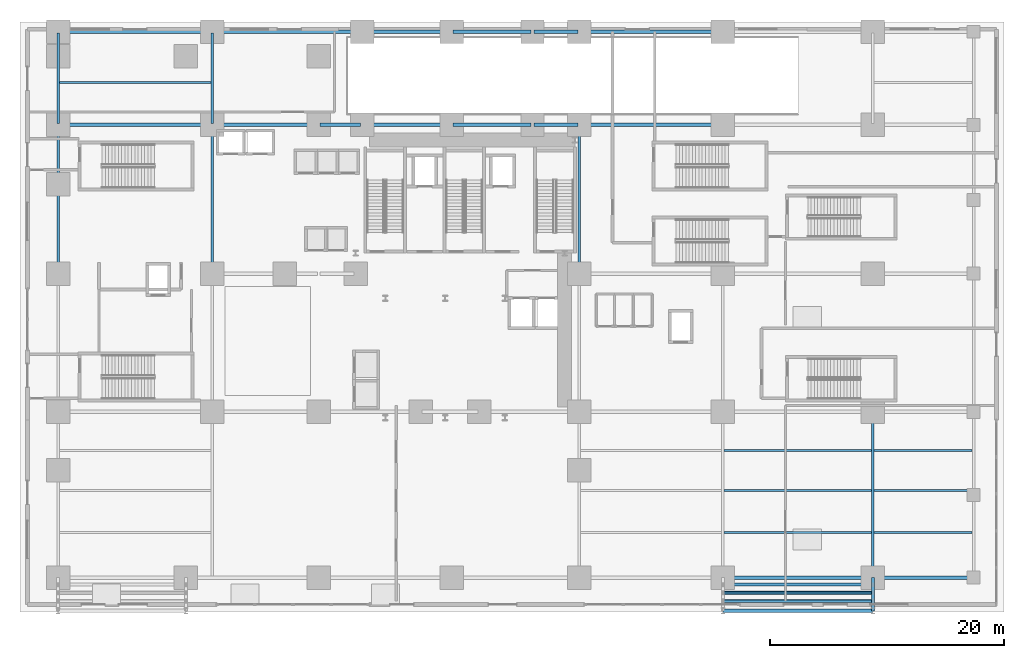
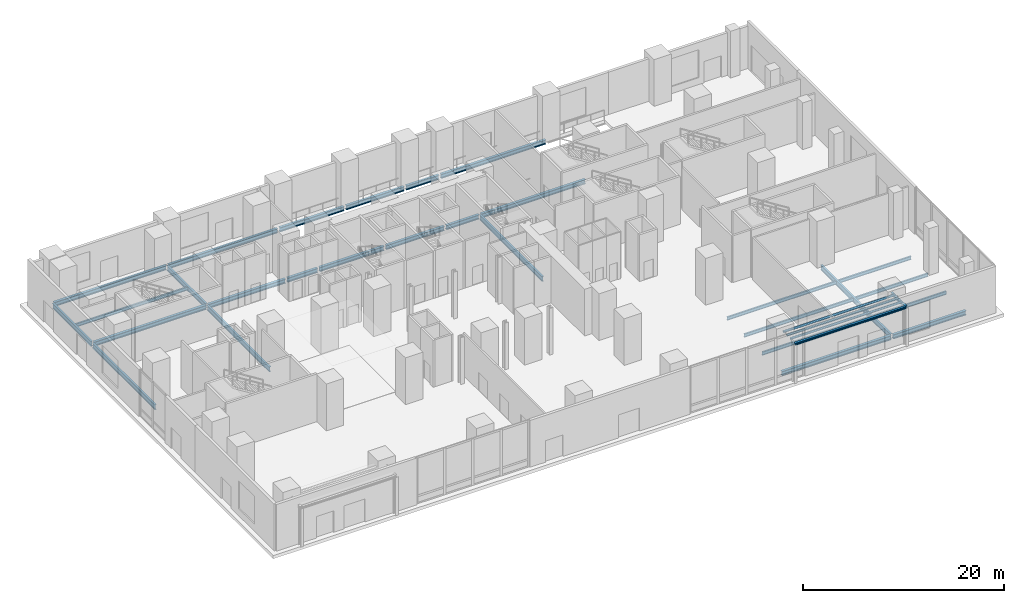
# One storey, part 7 of 25: 30 beams, 3 members.
"""IFC4 building model written with IfcOpenShell, lengths in metres."""

from ifc_helpers import new_model, si_unit, direction, frame, origin, origin_2d, place, context, subcontext, project, spatial, hollow_circle, i_section, extrude, source, transform, mapped, material, material_profile, profile_set, type_object, element, save


model = new_model("IFC4")

# Units and contexts
model_context = context("Model", 3, precision=1e-05, world=origin(), true_north=direction((0.0, 1.0)))
body_context = subcontext(model_context, "Body", "Model", "MODEL_VIEW")
ifc_project = project(units=[si_unit("LENGTHUNIT", "METRE"), si_unit("AREAUNIT", "SQUARE_METRE"), si_unit("VOLUMEUNIT", "CUBIC_METRE"), si_unit("PLANEANGLEUNIT", "RADIAN"), si_unit("MASSUNIT", "GRAM", prefix="KILO")], contexts=[model_context])

# Site, building, storey
site_placement = place(None, origin())
site = spatial("IfcSite", under=ifc_project, at=site_placement, CompositionType="ELEMENT")
building_placement = place(site_placement, origin())
building = spatial("IfcBuilding", under=site, at=building_placement, Name="Vardaveli Station Tower", CompositionType="ELEMENT")
storey_placement = place(building_placement, origin())
storey = spatial("IfcBuildingStorey", under=building, at=storey_placement, Name="L01", CompositionType="ELEMENT", Elevation=0.0)

# Beams
ifc_material = material(Name="Structural steel S355J2", Category="steel")
ifc_material_profile_1 = material_profile(ifc_material, i_section(OverallWidth=0.305908203125, OverallDepth=0.52392578125, WebThickness=0.02099609375, FlangeThickness=0.0400390625, FilletRadius=0.027099609375, at=origin_2d()), Name="HEM 500")
ifc_profile_set_1 = profile_set([ifc_material_profile_1], Name="Structural steel S355J2")
beam_type_1 = type_object("IfcBeamType", Name="BM-HEM500", PredefinedType="BEAM", material=ifc_profile_set_1)
shared_shape_1 = source(origin(), body_context, "Body", "SweptSolid", [
    extrude(i_section(OverallWidth=0.305908203125, OverallDepth=0.52392578125, WebThickness=0.02099609375, FlangeThickness=0.0400390625, FilletRadius=0.027099609375, at=origin_2d()), origin(), (0.0, 0.0, 1.0), 12.009765625),
])
for number, where, z_axis, x_axis, name in (
    (1, (47.8701171875, 41.60009765625, -0.662109375), (1.0, 0.0, 0.0), (0.0, 1.0, 0.0), "PBM-L01-EW3-6"),
    (2, (47.8701171875, 49.550048828125, -0.662109375), (1.0, 0.0, 0.0), (0.0, 1.0, 0.0), "PBM-L01-EW4-5"),
):
    element("IfcBeam", number, at=place(storey_placement, frame(where, z_axis=z_axis, x_axis=x_axis)), inside=storey, type_object=beam_type_1, Name=name, PredefinedType="BEAM", context=body_context, shape_type="MappedRepresentation", body=[
        mapped(shared_shape_1, transform((0.0, 0.0, 0.0), scale=1.0)),
    ])
shared_shape_2 = source(origin(), body_context, "Body", "SweptSolid", [
    extrude(i_section(OverallWidth=0.305908203125, OverallDepth=0.52392578125, WebThickness=0.02099609375, FlangeThickness=0.0400390625, FilletRadius=0.027099609375, at=origin_2d()), origin(), (0.0, 0.0, 1.0), 12.559814453125),
])
beam_1_placement = place(storey_placement, frame((60.1201171875, 2.949951171875, -0.662109375), z_axis=(1.0, 0.0, 0.0), x_axis=(0.0, 1.0, 0.0)))
element("IfcBeam", 3, at=beam_1_placement, inside=storey, type_object=beam_type_1, Name="PBM-L01-EW0-5", PredefinedType="BEAM", context=body_context, shape_type="MappedRepresentation", body=[
    mapped(shared_shape_2, transform((0.0, 0.0, 0.0), scale=1.0)),
])
shared_shape_3 = source(origin(), body_context, "Body", "SweptSolid", [
    extrude(i_section(OverallWidth=0.305908203125, OverallDepth=0.52392578125, WebThickness=0.02099609375, FlangeThickness=0.0400390625, FilletRadius=0.027099609375, at=origin_2d()), origin(), (0.0, 0.0, 1.0), 12.909912109375),
])
for number, where, z_axis, x_axis, name in (
    (4, (3.3701171875, 41.60009765625, -0.662109375), (1.0, 0.0, 0.0), (0.0, 1.0, 0.0), "PBM-L01-EW3-0"),
    (5, (3.3701171875, 49.550048828125, -0.662109375), (1.0, 0.0, 0.0), (0.0, 1.0, 0.0), "PBM-L01-EW4-0"),
):
    element("IfcBeam", number, at=place(storey_placement, frame(where, z_axis=z_axis, x_axis=x_axis)), inside=storey, type_object=beam_type_1, Name=name, PredefinedType="BEAM", context=body_context, shape_type="MappedRepresentation", body=[
        mapped(shared_shape_3, transform((0.0, 0.0, 0.0), scale=1.0)),
    ])
shared_shape_4 = source(origin(), body_context, "Body", "SweptSolid", [
    extrude(i_section(OverallWidth=0.305908203125, OverallDepth=0.52392578125, WebThickness=0.02099609375, FlangeThickness=0.0400390625, FilletRadius=0.027099609375, at=origin_2d()), origin(), (0.0, 0.0, 1.0), 8.85986328125),
])
beam_2_placement = place(storey_placement, frame((16.52001953125, 41.60009765625, -0.662109375), z_axis=(1.0, 0.0, 0.0), x_axis=(0.0, 1.0, 0.0)))
element("IfcBeam", 6, at=beam_2_placement, inside=storey, type_object=beam_type_1, Name="PBM-L01-EW3-1", PredefinedType="BEAM", context=body_context, shape_type="MappedRepresentation", body=[
    mapped(shared_shape_4, transform((0.0, 0.0, 0.0), scale=1.0)),
])
shared_shape_5 = source(origin(), body_context, "Body", "SweptSolid", [
    extrude(i_section(OverallWidth=0.305908203125, OverallDepth=0.52392578125, WebThickness=0.02099609375, FlangeThickness=0.0400390625, FilletRadius=0.027099609375, at=origin_2d()), origin(), (0.0, 0.0, 1.0), 3.4599609375),
])
beam_3_placement = place(storey_placement, frame((25.6201171875, 41.60009765625, -0.662109375), z_axis=(1.0, 0.0, 0.0), x_axis=(0.0, 1.0, 0.0)))
element("IfcBeam", 7, at=beam_3_placement, inside=storey, type_object=beam_type_1, Name="PBM-L01-EW3-2", PredefinedType="BEAM", context=body_context, shape_type="MappedRepresentation", body=[
    mapped(shared_shape_5, transform((0.0, 0.0, 0.0), scale=1.0)),
])
shared_shape_6 = source(origin(), body_context, "Body", "SweptSolid", [
    extrude(i_section(OverallWidth=0.305908203125, OverallDepth=0.52392578125, WebThickness=0.02099609375, FlangeThickness=0.0400390625, FilletRadius=0.027099609375, at=origin_2d()), origin(), (0.0, 0.0, 1.0), 7.39990234375),
])
for number, where, z_axis, x_axis, name in (
    (8, (29.320068359375, 41.60009765625, -0.662109375), (1.0, 0.0, 0.0), (0.0, 1.0, 0.0), "PBM-L01-EW3-3"),
    (9, (29.320068359375, 49.550048828125, -0.662109375), (1.0, 0.0, 0.0), (0.0, 1.0, 0.0), "PBM-L01-EW4-2"),
):
    element("IfcBeam", number, at=place(storey_placement, frame(where, z_axis=z_axis, x_axis=x_axis)), inside=storey, type_object=beam_type_1, Name=name, PredefinedType="BEAM", context=body_context, shape_type="MappedRepresentation", body=[
        mapped(shared_shape_6, transform((0.0, 0.0, 0.0), scale=1.0)),
    ])
shared_shape_7 = source(origin(), body_context, "Body", "SweptSolid", [
    extrude(i_section(OverallWidth=0.305908203125, OverallDepth=0.52392578125, WebThickness=0.02099609375, FlangeThickness=0.0400390625, FilletRadius=0.027099609375, at=origin_2d()), origin(), (0.0, 0.0, 1.0), 6.669921875),
])
for number, where, z_axis, x_axis, name in (
    (10, (36.9599609375, 41.60009765625, -0.662109375), (1.0, 0.0, 0.0), (0.0, 1.0, 0.0), "PBM-L01-EW3-4"),
    (11, (36.9599609375, 49.550048828125, -0.662109375), (1.0, 0.0, 0.0), (0.0, 1.0, 0.0), "PBM-L01-EW4-3"),
):
    element("IfcBeam", number, at=place(storey_placement, frame(where, z_axis=z_axis, x_axis=x_axis)), inside=storey, type_object=beam_type_1, Name=name, PredefinedType="BEAM", context=body_context, shape_type="MappedRepresentation", body=[
        mapped(shared_shape_7, transform((0.0, 0.0, 0.0), scale=1.0)),
    ])
shared_shape_8 = source(origin(), body_context, "Body", "SweptSolid", [
    extrude(i_section(OverallWidth=0.305908203125, OverallDepth=0.52392578125, WebThickness=0.02099609375, FlangeThickness=0.0400390625, FilletRadius=0.027099609375, at=origin_2d()), origin(), (0.0, 0.0, 1.0), 3.759765625),
])
for number, where, z_axis, x_axis, name in (
    (12, (43.8701171875, 41.60009765625, -0.662109375), (1.0, 0.0, 0.0), (0.0, 1.0, 0.0), "PBM-L01-EW3-5"),
    (13, (43.8701171875, 49.550048828125, -0.662109375), (1.0, 0.0, 0.0), (0.0, 1.0, 0.0), "PBM-L01-EW4-4"),
):
    element("IfcBeam", number, at=place(storey_placement, frame(where, z_axis=z_axis, x_axis=x_axis)), inside=storey, type_object=beam_type_1, Name=name, PredefinedType="BEAM", context=body_context, shape_type="MappedRepresentation", body=[
        mapped(shared_shape_8, transform((0.0, 0.0, 0.0), scale=1.0)),
    ])
shared_shape_9 = source(origin(), body_context, "Body", "SweptSolid", [
    extrude(i_section(OverallWidth=0.305908203125, OverallDepth=0.52392578125, WebThickness=0.02099609375, FlangeThickness=0.0400390625, FilletRadius=0.027099609375, at=origin_2d()), origin(), (0.0, 0.0, 1.0), 12.56005859375),
])
beam_4_placement = place(storey_placement, frame((16.52001953125, 49.550048828125, -0.662109375), z_axis=(1.0, 0.0, 0.0), x_axis=(0.0, 1.0, 0.0)))
element("IfcBeam", 14, at=beam_4_placement, inside=storey, type_object=beam_type_1, Name="PBM-L01-EW4-1", PredefinedType="BEAM", context=body_context, shape_type="MappedRepresentation", body=[
    mapped(shared_shape_9, transform((0.0, 0.0, 0.0), scale=1.0)),
])
ifc_material_profile_2 = material_profile(ifc_material, i_section(OverallWidth=0.219970703125, OverallDepth=0.60009765625, WebThickness=0.011962890625, FlangeThickness=0.01904296875, FilletRadius=0.02392578125, at=origin_2d()), Name="IPE 600")
ifc_profile_set_2 = profile_set([ifc_material_profile_2], Name="Structural steel S355J2")
beam_type_2 = type_object("IfcBeamType", Name="BM-IPE600", PredefinedType="BEAM", material=ifc_profile_set_2)
shared_shape_10 = source(origin(), body_context, "Body", "SweptSolid", [
    extrude(i_section(OverallWidth=0.219970703125, OverallDepth=0.60009765625, WebThickness=0.011962890625, FlangeThickness=0.01904296875, FilletRadius=0.02392578125, at=origin_2d()), origin(), (0.0, 0.0, 1.0), 13.909912109375),
])
beam_5_placement = place(storey_placement, frame((72.800048828125, 3.070068359375, -0.699951171875), z_axis=(0.0, 1.0, 0.0), x_axis=(-1.0, 0.0, 0.0)))
element("IfcBeam", 15, at=beam_5_placement, inside=storey, type_object=beam_type_2, Name="PBM-L01-NS4-0", PredefinedType="BEAM", context=body_context, shape_type="MappedRepresentation", body=[
    mapped(shared_shape_10, transform((0.0, 0.0, 0.0), scale=1.0)),
])
shared_shape_11 = source(origin(), body_context, "Body", "SweptSolid", [
    extrude(i_section(OverallWidth=0.219970703125, OverallDepth=0.60009765625, WebThickness=0.011962890625, FlangeThickness=0.01904296875, FilletRadius=0.02392578125, at=origin_2d()), origin(), (0.0, 0.0, 1.0), 12.4599609375),
])
for number, where, z_axis, x_axis, name in (
    (16, (3.25, 29.02001953125, -0.699951171875), (0.0, 1.0, 0.0), (-1.0, 0.0, 0.0), "PBM-L01-NS0-2"),
    (17, (16.39990234375, 29.02001953125, -0.699951171875), (0.0, 1.0, 0.0), (-1.0, 0.0, 0.0), "PBM-L01-NS1-2"),
    (18, (47.75, 29.02001953125, -0.699951171875), (0.0, 1.0, 0.0), (-1.0, 0.0, 0.0), "PBM-L01-NS2-2"),
):
    element("IfcBeam", number, at=place(storey_placement, frame(where, z_axis=z_axis, x_axis=x_axis)), inside=storey, type_object=beam_type_2, Name=name, PredefinedType="BEAM", context=body_context, shape_type="MappedRepresentation", body=[
        mapped(shared_shape_11, transform((0.0, 0.0, 0.0), scale=1.0)),
    ])
shared_shape_12 = source(origin(), body_context, "Body", "SweptSolid", [
    extrude(i_section(OverallWidth=0.219970703125, OverallDepth=0.60009765625, WebThickness=0.011962890625, FlangeThickness=0.01904296875, FilletRadius=0.02392578125, at=origin_2d()), origin(), (0.0, 0.0, 1.0), 7.7099609375),
])
for number, where, z_axis, x_axis, name in (
    (19, (3.25, 41.719970703125, -0.699951171875), (0.0, 1.0, 0.0), (-1.0, 0.0, 0.0), "PBM-L01-NS0-3"),
    (20, (16.39990234375, 41.719970703125, -0.699951171875), (0.0, 1.0, 0.0), (-1.0, 0.0, 0.0), "PBM-L01-NS1-3"),
):
    element("IfcBeam", number, at=place(storey_placement, frame(where, z_axis=z_axis, x_axis=x_axis)), inside=storey, type_object=beam_type_2, Name=name, PredefinedType="BEAM", context=body_context, shape_type="MappedRepresentation", body=[
        mapped(shared_shape_12, transform((0.0, 0.0, 0.0), scale=1.0)),
    ])
ifc_material_profile_3 = material_profile(ifc_material, i_section(OverallWidth=0.179931640625, OverallDepth=0.39990234375, WebThickness=0.008544921875, FlangeThickness=0.013427734375, FilletRadius=0.02099609375, at=origin_2d()), Name="IPE 400")
ifc_profile_set_3 = profile_set([ifc_material_profile_3], Name="Structural steel S355J2")
beam_type_3 = type_object("IfcBeamType", Name="BM-IPE400", PredefinedType="JOIST", material=ifc_profile_set_3)
shared_shape_13 = source(origin(), body_context, "Body", "SweptSolid", [
    extrude(i_section(OverallWidth=0.179931640625, OverallDepth=0.39990234375, WebThickness=0.008544921875, FlangeThickness=0.013427734375, FilletRadius=0.02099609375, at=origin_2d()), origin(), (0.0, 0.0, 1.0), 12.575927734375),
])
for number, where, z_axis, x_axis, name in (
    (21, (60.112060546875, 6.800048828125, -0.60009765625), (1.0, 0.0, 0.0), (0.0, 1.0, 0.0), "PJ-L01-1-3"),
    (22, (60.112060546875, 10.39990234375, -0.60009765625), (1.0, 0.0, 0.0), (0.0, 1.0, 0.0), "PJ-L01-2-3"),
    (23, (60.112060546875, 13.800048828125, -0.60009765625), (1.0, 0.0, 0.0), (0.0, 1.0, 0.0), "PJ-L01-3-3"),
):
    element("IfcBeam", number, at=place(storey_placement, frame(where, z_axis=z_axis, x_axis=x_axis)), inside=storey, type_object=beam_type_3, Name=name, PredefinedType="JOIST", context=body_context, shape_type="MappedRepresentation", body=[
        mapped(shared_shape_13, transform((0.0, 0.0, 0.0), scale=1.0)),
    ])
shared_shape_14 = source(origin(), body_context, "Body", "SweptSolid", [
    extrude(i_section(OverallWidth=0.305908203125, OverallDepth=0.52392578125, WebThickness=0.02099609375, FlangeThickness=0.0400390625, FilletRadius=0.027099609375, at=origin_2d()), origin(), (0.0, 0.0, 1.0), 8.360107421875),
])
beam_6_placement = place(storey_placement, frame((72.919921875, 2.949951171875, -0.662109375), z_axis=(1.0, 0.0, 0.0), x_axis=(0.0, 1.0, 0.0)))
element("IfcBeam", 24, at=beam_6_placement, inside=storey, type_object=beam_type_1, Name="PBM-L01-EW0-6", PredefinedType="BEAM", context=body_context, shape_type="MappedRepresentation", body=[
    mapped(shared_shape_14, transform((0.0, 0.0, 0.0), scale=1.0)),
])
shared_shape_15 = source(origin(), body_context, "Body", "SweptSolid", [
    extrude(i_section(OverallWidth=0.179931640625, OverallDepth=0.39990234375, WebThickness=0.008544921875, FlangeThickness=0.013427734375, FilletRadius=0.02099609375, at=origin_2d()), origin(), (0.0, 0.0, 1.0), 12.926025390625),
])
beam_7_placement = place(storey_placement, frame((3.362060546875, 45.199951171875, -0.60009765625), z_axis=(1.0, 0.0, 0.0), x_axis=(0.0, 1.0, 0.0)))
element("IfcBeam", 25, at=beam_7_placement, inside=storey, type_object=beam_type_3, Name="PJ-L01-4-0", PredefinedType="JOIST", context=body_context, shape_type="MappedRepresentation", body=[
    mapped(shared_shape_15, transform((0.0, 0.0, 0.0), scale=1.0)),
])
shared_shape_16 = source(origin(), body_context, "Body", "SweptSolid", [
    extrude(i_section(OverallWidth=0.179931640625, OverallDepth=0.39990234375, WebThickness=0.008544921875, FlangeThickness=0.013427734375, FilletRadius=0.02099609375, at=origin_2d()), origin(), (0.0, 0.0, 1.0), 8.3759765625),
])
for number, where, z_axis, x_axis, name in (
    (26, (72.912109375, 6.800048828125, -0.60009765625), (1.0, 0.0, 0.0), (0.0, 1.0, 0.0), "PJ-L01-1-4"),
    (27, (72.912109375, 10.39990234375, -0.60009765625), (1.0, 0.0, 0.0), (0.0, 1.0, 0.0), "PJ-L01-2-4"),
    (28, (72.912109375, 13.800048828125, -0.60009765625), (1.0, 0.0, 0.0), (0.0, 1.0, 0.0), "PJ-L01-3-4"),
):
    element("IfcBeam", number, at=place(storey_placement, frame(where, z_axis=z_axis, x_axis=x_axis)), inside=storey, type_object=beam_type_3, Name=name, PredefinedType="JOIST", context=body_context, shape_type="MappedRepresentation", body=[
        mapped(shared_shape_16, transform((0.0, 0.0, 0.0), scale=1.0)),
    ])
ifc_material_profile_4 = material_profile(ifc_material, i_section(OverallWidth=0.260009765625, OverallDepth=0.260009765625, WebThickness=0.010009765625, FlangeThickness=0.017578125, FilletRadius=0.02392578125, at=origin_2d()), Name="HEB 260")
ifc_profile_set_4 = profile_set([ifc_material_profile_4], Name="Structural steel S355J2")
beam_type_4 = type_object("IfcBeamType", Name="BM-HEB260", PredefinedType="BEAM", material=ifc_profile_set_4)
shared_shape_17 = source(origin(), body_context, "Body", "SweptSolid", [
    extrude(i_section(OverallWidth=0.260009765625, OverallDepth=0.260009765625, WebThickness=0.010009765625, FlangeThickness=0.017578125, FilletRadius=0.02392578125, at=origin_2d()), origin(), (0.0, 0.0, 1.0), 2.829833984375),
])
beam_8_placement = place(storey_placement, frame((72.800048828125, 2.949951171875, 4.64990234375), z_axis=(0.0, -1.0, 0.0), x_axis=(1.0, 0.0, 0.0)))
element("IfcBeam", 29, at=beam_8_placement, inside=storey, type_object=beam_type_4, Name="CNB-S2-A2", PredefinedType="BEAM", context=body_context, shape_type="MappedRepresentation", body=[
    mapped(shared_shape_17, transform((0.0, 0.0, 0.0), scale=1.0)),
])
shared_shape_18 = source(origin(), body_context, "Body", "SweptSolid", [
    extrude(i_section(OverallWidth=0.260009765625, OverallDepth=0.260009765625, WebThickness=0.010009765625, FlangeThickness=0.017578125, FilletRadius=0.02392578125, at=origin_2d()), origin(), (0.0, 0.0, 1.0), 12.800048828125),
])
beam_9_placement = place(storey_placement, frame((60.0, 0.1201171875, 4.64990234375), z_axis=(1.0, 0.0, 0.0), x_axis=(0.0, 1.0, 0.0)))
element("IfcBeam", 30, at=beam_9_placement, inside=storey, type_object=beam_type_4, Name="CNB-S2-F", PredefinedType="BEAM", context=body_context, shape_type="MappedRepresentation", body=[
    mapped(shared_shape_18, transform((0.0, 0.0, 0.0), scale=1.0)),
])

# Members
ifc_material_profile_5 = material_profile(ifc_material, hollow_circle(Radius=0.136474609375, WallThickness=0.012451171875, at=origin_2d()), Name="CHS 273x12.5")
ifc_profile_set_5 = profile_set([ifc_material_profile_5], Name="Structural steel S355J2")
member_type = type_object("IfcMemberType", Name="MEM-PR-CHS273", PredefinedType="PURLIN", material=ifc_profile_set_5)
shared_shape_19 = source(origin(), body_context, "Body", "SweptSolid", [
    extrude(hollow_circle(Radius=0.136474609375, WallThickness=0.012451171875, at=origin_2d()), origin(), (0.0, 0.0, 1.0), 12.800048828125),
])
for number, where, z_axis, x_axis, name in (
    (31, (60.0, 0.949951171875, 4.780029296875), (1.0, 0.0, 0.0), (0.0, 1.0, 0.0), "CNP-S2-1"),
    (32, (60.0, 1.64990234375, 4.780029296875), (1.0, 0.0, 0.0), (0.0, 1.0, 0.0), "CNP-S2-2"),
    (33, (60.0, 2.35009765625, 4.780029296875), (1.0, 0.0, 0.0), (0.0, 1.0, 0.0), "CNP-S2-3"),
):
    element("IfcMember", number, at=place(storey_placement, frame(where, z_axis=z_axis, x_axis=x_axis)), inside=storey, type_object=member_type, Name=name, PredefinedType="PURLIN", context=body_context, shape_type="MappedRepresentation", body=[
        mapped(shared_shape_19, transform((0.0, 0.0, 0.0), scale=1.0)),
    ])

save(model, "model.ifc")
